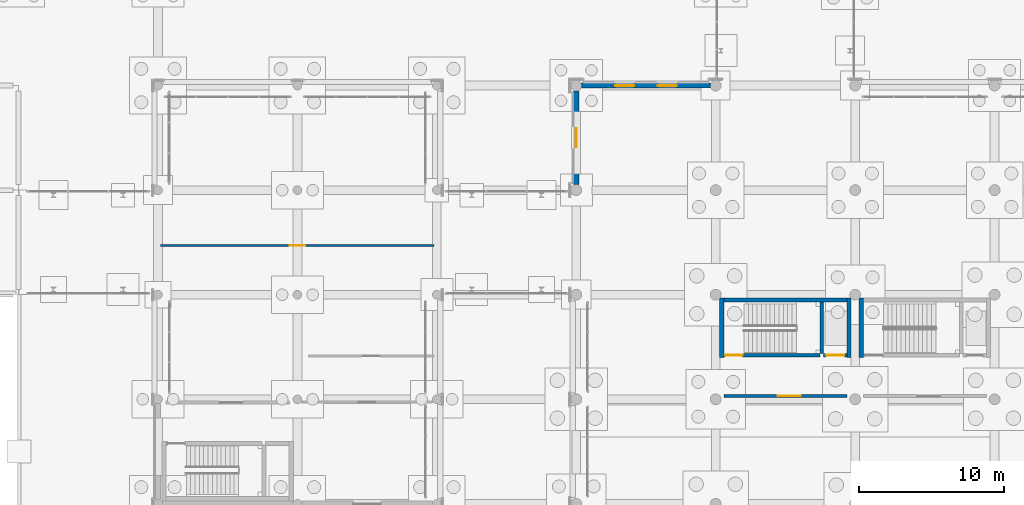
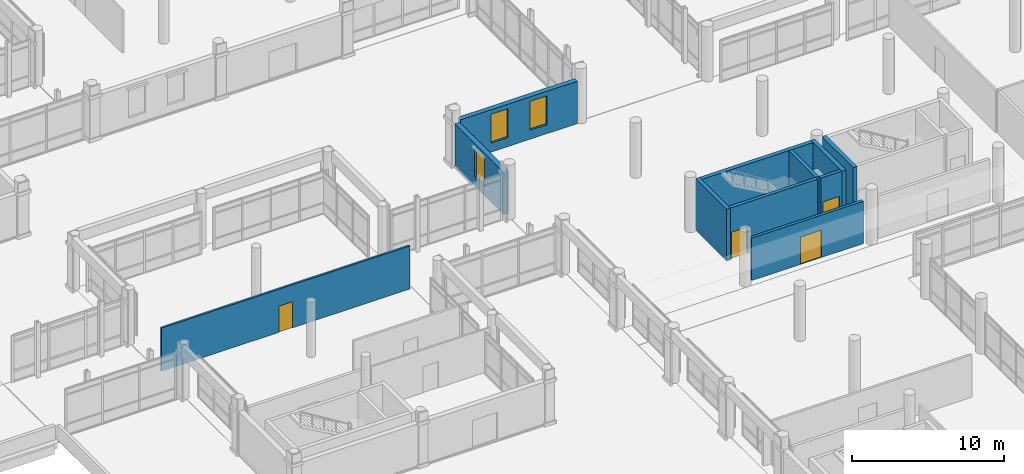
# One storey, part 161 of 196: 11 walls, 4 doors, 3 windows, 7 openings.
"""IFC4 building model written with IfcOpenShell, lengths in metres."""

import ifcopenshell
import ifcopenshell.guid

model = None  # the IFC model being written
_history = None  # IfcOwnerHistory: only IFC2X3 demands one
_inside = {}  # id of a spatial element -> (the spatial element, [elements in it])
_under = {}  # id of a project, library or spatial element -> (it, [spatial elements below it])
_declared = {}  # id of a project -> (the project, [libraries it declares])
_typed = {}  # id of a type object -> (the type object, [elements of that type])
_made_of = {}  # id of a material, layer set ... -> (it, [elements and type objects made of it])


def new_model(schema):
    """Start an empty IFC model of exactly this schema.

    Asked for "IFC4X3", IfcOpenShell would pick the latest addendum, in which some entities
    have other attributes; the version numbers below select the first issue.
    IFC2X3 requires an IfcOwnerHistory on every rooted entity: one is made here for all.
    """
    global model, _history
    if schema == "IFC4X3":
        model = ifcopenshell.file(schema_version=(4, 3, 0, 0))
    else:
        model = ifcopenshell.file(schema=schema)
    _inside.clear()
    _under.clear()
    _declared.clear()
    _typed.clear()
    _made_of.clear()
    _history = None
    if model.schema == "IFC2X3":
        org = make("IfcOrganization", Name="unknown")
        user = make(
            "IfcPersonAndOrganization",
            ThePerson=make("IfcPerson", FamilyName="unknown"),
            TheOrganization=org,
        )
        app = make(
            "IfcApplication",
            ApplicationDeveloper=org,
            Version="unknown",
            ApplicationFullName="unknown",
            ApplicationIdentifier="unknown",
        )
        _history = make(
            "IfcOwnerHistory",
            OwningUser=user,
            OwningApplication=app,
            ChangeAction="ADDED",
            CreationDate=0,
        )
    return model


def make(cls, **values):
    """One entity of the class cls with the attributes given. An attribute that is None is left unset."""
    return model.create_entity(
        cls, **{name: value for name, value in values.items() if value is not None}
    )


def rooted(cls, **values):
    """An entity with a GlobalId (a new one), such as an element, a storey or a relation."""
    return make(cls, GlobalId=ifcopenshell.guid.new(), OwnerHistory=_history, **values)


def si_unit(unit_type, name, prefix=None):
    """IfcSIUnit, for example si_unit("LENGTHUNIT", "METRE", prefix="MILLI")."""
    return make("IfcSIUnit", UnitType=unit_type, Prefix=prefix, Name=name)


def assignment(units):
    """IfcUnitAssignment: the units of a project."""
    return None if units is None else make("IfcUnitAssignment", Units=units)


def point(xyz):
    """IfcCartesianPoint."""
    return None if xyz is None else make("IfcCartesianPoint", Coordinates=xyz)


def direction(xyz):
    """IfcDirection."""
    return None if xyz is None else make("IfcDirection", DirectionRatios=xyz)


def frame(location, z_axis=None, x_axis=None):
    """IfcAxis2Placement3D, a coordinate frame: its origin and axes. An axis left out is left unset."""
    return make(
        "IfcAxis2Placement3D",
        Location=point(location),
        Axis=direction(z_axis),
        RefDirection=direction(x_axis),
    )


def frame_2d(location, x_axis=None):
    """IfcAxis2Placement2D, a coordinate frame in the plane: its origin and x axis."""
    return make(
        "IfcAxis2Placement2D", Location=point(location), RefDirection=direction(x_axis)
    )


def origin():
    """The frame at (0, 0, 0) with its axes left unset."""
    return frame((0.0, 0.0, 0.0))


def place(relative_to, where):
    """IfcLocalPlacement: puts the frame where relative to a parent placement (None: the world)."""
    return make(
        "IfcLocalPlacement", PlacementRelTo=relative_to, RelativePlacement=where
    )


def context(
    kind, dimensions, precision=None, world=None, true_north=None, identifier=None
):
    """IfcGeometricRepresentationContext, for example the 3D "Model" context."""
    return make(
        "IfcGeometricRepresentationContext",
        ContextIdentifier=identifier,
        ContextType=kind,
        CoordinateSpaceDimension=dimensions,
        Precision=precision,
        WorldCoordinateSystem=world,
        TrueNorth=true_north,
    )


def subcontext(parent, identifier, kind, view, scale=None):
    """IfcGeometricRepresentationSubContext, for example "Body" below "Model"."""
    return make(
        "IfcGeometricRepresentationSubContext",
        ContextIdentifier=identifier,
        ContextType=kind,
        ParentContext=parent,
        TargetScale=scale,
        TargetView=view,
    )


def project(units=None, contexts=None):
    """IfcProject with its units and contexts."""
    return rooted(
        "IfcProject",
        Name="project",
        RepresentationContexts=contexts,
        UnitsInContext=assignment(units),
    )


def spatial(cls, under=None, at=None, **own):
    """A site, building, storey or space (cls), placed at a placement, below another one or the project."""
    s = rooted(cls, ObjectPlacement=at, **own)
    if under is not None:
        _under.setdefault(under.id(), (under, []))[1].append(s)
    return s


def profile(cls, at=None, kind="AREA", **sizes):
    """A parametric profile (cls). Its sizes go by their IFC names, for example OverallWidth=200.0."""
    return make(cls, ProfileType=kind, Position=at, **sizes)


def rectangle(**sizes):
    """IfcRectangleProfileDef."""
    return profile("IfcRectangleProfileDef", **sizes)


def extrude(swept, where, along, depth):
    """IfcExtrudedAreaSolid: the profile swept, set in the frame where, extruded along a direction by depth."""
    return make(
        "IfcExtrudedAreaSolid",
        SweptArea=swept,
        Position=where,
        ExtrudedDirection=direction(along),
        Depth=depth,
    )


def shape(context_of_items, identifier, shape_type, items):
    """IfcShapeRepresentation: the items that make up one representation, for example the "Body"."""
    return make(
        "IfcShapeRepresentation",
        ContextOfItems=context_of_items,
        RepresentationIdentifier=identifier,
        RepresentationType=shape_type,
        Items=items,
    )


def material(Name=None, Category=None):
    """IfcMaterial."""
    return make("IfcMaterial", Name=Name, Category=Category)


def layer(
    of_material, thickness, ventilated=None, Name=None, Category=None, Priority=None
):
    """IfcMaterialLayer: one layer of a wall or slab, of a material (None: an air gap)."""
    return make(
        "IfcMaterialLayer",
        Material=of_material,
        LayerThickness=thickness,
        IsVentilated=ventilated,
        Name=Name,
        Category=Category,
        Priority=Priority,
    )


def layer_set(layers, Name=None):
    """IfcMaterialLayerSet."""
    return make("IfcMaterialLayerSet", MaterialLayers=layers, LayerSetName=Name)


def made_of(thing, what):
    """Note that an element or type object is made of a material, layer set ...; save() writes the relation."""
    if what is not None:
        _made_of.setdefault(what.id(), (what, []))[1].append(thing)
    return thing


def type_object(cls, material=None, **own):
    """A type object (cls), such as IfcWallType, which elements share."""
    return made_of(rooted(cls, **own), material)


def element(
    cls,
    number,
    at=None,
    inside=None,
    cuts=None,
    type_object=None,
    material=None,
    context=None,
    identifier="Body",
    shape_type=None,
    held_by="IfcProductDefinitionShape",
    body=None,
    shapes=None,
    **own,
):
    """One element of the class cls, such as IfcWall. Its Tag is "e" and its number.

    at: its placement. inside: the storey or other place that contains it. cuts: it is an
    opening in that element (IfcRelVoidsElement). A single representation is given by context,
    identifier, shape_type and body (its items); several are given by shapes. held_by: the class
    of the entity that holds the representations. save() writes the other relations.
    """
    e = rooted(cls, Tag="e%d" % number, ObjectPlacement=at, **own)
    if body is not None:
        shapes = [shape(context, identifier, shape_type, body)]
    if shapes is not None:
        e.Representation = make(held_by, Representations=shapes)
    if inside is not None:
        _inside.setdefault(inside.id(), (inside, []))[1].append(e)
    if cuts is not None:
        rooted(
            "IfcRelVoidsElement", RelatingBuildingElement=cuts, RelatedOpeningElement=e
        )
    if type_object is not None:
        _typed.setdefault(type_object.id(), (type_object, []))[1].append(e)
    return made_of(e, material)


def fill(opening, filler):
    """IfcRelFillsElement: the door or window that sits in an opening."""
    return rooted(
        "IfcRelFillsElement",
        RelatingOpeningElement=opening,
        RelatedBuildingElement=filler,
    )


def aggregate(whole, parts):
    """IfcRelAggregates: a whole, such as a stair, and the parts it consists of."""
    return rooted("IfcRelAggregates", RelatingObject=whole, RelatedObjects=parts)


def save(model, path):
    """Write the relations noted so far, then the file.

    IfcRelAggregates (storeys below a building ...), IfcRelContainedInSpatialStructure (elements
    in a storey), IfcRelDefinesByType, IfcRelAssociatesMaterial and IfcRelDeclares: one each for
    every whole, place, type object, material and project.
    """
    for whole, parts in _under.values():
        aggregate(whole, parts)
    for where, things in _inside.values():
        rooted(
            "IfcRelContainedInSpatialStructure",
            RelatedElements=things,
            RelatingStructure=where,
        )
    for kind, things in _typed.values():
        rooted("IfcRelDefinesByType", RelatedObjects=things, RelatingType=kind)
    for what, things in _made_of.values():
        rooted("IfcRelAssociatesMaterial", RelatedObjects=things, RelatingMaterial=what)
    for by, libraries in _declared.values():
        rooted("IfcRelDeclares", RelatingContext=by, RelatedDefinitions=libraries)
    model.write(path)


model = new_model("IFC4")

# Units and contexts
model_context = context("Model", 3, precision=1e-05, world=origin(), true_north=direction((0.0, 1.0)))
body_context = subcontext(model_context, "Body", "Model", "MODEL_VIEW")
ifc_project = project(units=[si_unit("LENGTHUNIT", "METRE"), si_unit("AREAUNIT", "SQUARE_METRE"), si_unit("VOLUMEUNIT", "CUBIC_METRE"), si_unit("PLANEANGLEUNIT", "RADIAN"), si_unit("MASSUNIT", "GRAM", prefix="KILO")], contexts=[model_context])

# Site, building, storey
site_placement = place(None, origin())
site = spatial("IfcSite", under=ifc_project, at=site_placement, CompositionType="ELEMENT")
building_placement = place(site_placement, origin())
building = spatial("IfcBuilding", under=site, at=building_placement, Name="Asteropetra Specialist Clinic", CompositionType="ELEMENT")
storey_placement = place(building_placement, origin())
storey = spatial("IfcBuildingStorey", under=building, at=storey_placement, Name="L00", CompositionType="ELEMENT", Elevation=0.0)

# Wall, openings, windows
ifc_material_1 = material(Name="Pentelic marble ashlar", Category="masonry")
ifc_layer_1 = layer(ifc_material_1, 0.360107421875)
ifc_layer_set_1 = layer_set([ifc_layer_1], Name="Pentelic marble ashlar")
wall_type_1 = type_object("IfcWallType", Name="EW-PENTELIC-360", PredefinedType="SOLIDWALL", material=ifc_layer_set_1)
wall_1_placement = place(storey_placement, frame((114.824951171875, 62.39990234375, 0.0), z_axis=(0.0, 0.0, 1.0), x_axis=(-1.0, 0.0, 0.0)))
wall_1 = element("IfcWall", 1, at=wall_1_placement, inside=storey, type_object=wall_type_1, Name="Exterior Wall EW-0194", PredefinedType="SOLIDWALL", context=body_context, shape_type="SweptSolid", body=[
    extrude(rectangle(XDim=8.849853515625, YDim=0.360107421875, at=frame_2d((4.4248046875, 0.0))), origin(), (0.0, 0.0, 1.0), 3.39990234375),
])
opening_1_placement = place(wall_1_placement, frame((2.300048828125, 0.0, 0.719970703125)))
opening_1 = element("IfcOpeningElement", 2, at=opening_1_placement, cuts=wall_1, Name="Opening W-0154", PredefinedType="OPENING", context=body_context, shape_type="SweptSolid", body=[
    extrude(rectangle(XDim=1.300048828125, YDim=2.320068359375, at=frame_2d((0.64990234375, 1.16015625))), frame((0.0, 0.18994140625, 0.0), z_axis=(0.0, -1.0, 0.0), x_axis=(1.0, 0.0, 0.0)), (0.0, 0.0, 1.0), 0.380126953125),
])
opening_2_placement = place(wall_1_placement, frame((5.25, 0.0, 0.719970703125)))
opening_2 = element("IfcOpeningElement", 3, at=opening_2_placement, cuts=wall_1, Name="Opening W-0155", PredefinedType="OPENING", context=body_context, shape_type="SweptSolid", body=[
    extrude(rectangle(XDim=1.300048828125, YDim=2.320068359375, at=frame_2d((0.64990234375, 1.16015625))), frame((0.0, 0.18994140625, 0.0), z_axis=(0.0, -1.0, 0.0), x_axis=(1.0, 0.0, 0.0)), (0.0, 0.0, 1.0), 0.380126953125),
])
ifc_material_2 = material(Name="Thermally broken bronze aluminium and low-E glass", Category="aluminium")
window_type = type_object("IfcWindowType", Name="WIN-T20", PartitioningType="DOUBLE_PANEL_VERTICAL", PredefinedType="WINDOW", material=ifc_material_2)
window_1_placement = place(opening_1_placement, origin())
window_1 = element("IfcWindow", 4, at=window_1_placement, inside=storey, type_object=window_type, Name="Window W-0154", OverallHeight=2.320068359375, OverallWidth=1.300048828125, PartitioningType="SINGLE_PANEL", PredefinedType="WINDOW", context=body_context, shape_type="SweptSolid", body=[
    extrude(rectangle(XDim=1.300048828125, YDim=2.320068359375, at=frame_2d((0.64990234375, 1.16015625))), frame((0.0, 0.030029296875, 0.0), z_axis=(0.0, -1.0, 0.0), x_axis=(1.0, 0.0, 0.0)), (0.0, 0.0, 1.0), 0.06005859375),
])
fill(opening_1, window_1)
window_2_placement = place(opening_2_placement, origin())
window_2 = element("IfcWindow", 5, at=window_2_placement, inside=storey, type_object=window_type, Name="Window W-0155", OverallHeight=2.320068359375, OverallWidth=1.300048828125, PartitioningType="SINGLE_PANEL", PredefinedType="WINDOW", context=body_context, shape_type="SweptSolid", body=[
    extrude(rectangle(XDim=1.300048828125, YDim=2.320068359375, at=frame_2d((0.64990234375, 1.16015625))), frame((0.0, 0.030029296875, 0.0), z_axis=(0.0, -1.0, 0.0), x_axis=(1.0, 0.0, 0.0)), (0.0, 0.0, 1.0), 0.06005859375),
])
fill(opening_2, window_2)

# Wall, opening, window
wall_2_placement = place(storey_placement, frame((105.60009765625, 62.02490234375, 0.0), z_axis=(0.0, 0.0, 1.0), x_axis=(0.0, -1.0, 0.0)))
wall_2 = element("IfcWall", 6, at=wall_2_placement, inside=storey, type_object=wall_type_1, Name="Exterior Wall EW-0202", PredefinedType="SOLIDWALL", context=body_context, shape_type="SweptSolid", body=[
    extrude(rectangle(XDim=6.449951171875, YDim=0.360107421875, at=frame_2d((3.22509765625, 0.0))), origin(), (0.0, 0.0, 1.0), 3.39990234375),
])
opening_3_placement = place(wall_2_placement, frame((2.574951171875, 0.0, 0.719970703125)))
opening_3 = element("IfcOpeningElement", 7, at=opening_3_placement, cuts=wall_2, Name="Opening W-0162", PredefinedType="OPENING", context=body_context, shape_type="SweptSolid", body=[
    extrude(rectangle(XDim=1.300048828125, YDim=2.320068359375, at=frame_2d((0.64990234375, 1.16015625))), frame((0.0, 0.18994140625, 0.0), z_axis=(0.0, -1.0, 0.0), x_axis=(1.0, 0.0, 0.0)), (0.0, 0.0, 1.0), 0.380126953125),
])
window_3_placement = place(opening_3_placement, origin())
window_3 = element("IfcWindow", 8, at=window_3_placement, inside=storey, type_object=window_type, Name="Window W-0162", OverallHeight=2.320068359375, OverallWidth=1.300048828125, PartitioningType="SINGLE_PANEL", PredefinedType="WINDOW", context=body_context, shape_type="SweptSolid", body=[
    extrude(rectangle(XDim=1.300048828125, YDim=2.320068359375, at=frame_2d((0.64990234375, 1.16015625))), frame((0.0, 0.030029296875, 0.0), z_axis=(0.0, -1.0, 0.0), x_axis=(1.0, 0.0, 0.0)), (0.0, 0.0, 1.0), 0.06005859375),
])
fill(opening_3, window_3)

# Wall, opening, door
ifc_material_3 = material(Name="Fire-rated masonry and gypsum", Category="masonry")
ifc_layer_2 = layer(ifc_material_3, 0.219970703125)
ifc_layer_set_2 = layer_set([ifc_layer_2], Name="Fire-rated masonry and gypsum")
wall_type_2 = type_object("IfcWallType", Name="W-COMP-220", PredefinedType="PARTITIONING", material=ifc_layer_set_2)
wall_3_placement = place(storey_placement, frame((115.760009765625, 41.02001953125, 0.0), z_axis=(0.0, 0.0, 1.0), x_axis=(1.0, 0.0, 0.0)))
wall_3 = element("IfcWall", 9, at=wall_3_placement, inside=storey, type_object=wall_type_2, Name="Core Wall CW-C10-L00-LOB", PredefinedType="PARTITIONING", context=body_context, shape_type="SweptSolid", body=[
    extrude(rectangle(XDim=8.47998046875, YDim=0.219970703125, at=frame_2d((4.239990234375, 0.0))), origin(), (0.0, 0.0, 1.0), 3.39990234375),
])
opening_4_placement = place(wall_3_placement, frame((3.699951171875, 0.0, 0.0)))
opening_4 = element("IfcOpeningElement", 10, at=opening_4_placement, cuts=wall_3, Name="Opening FD-086", PredefinedType="OPENING", context=body_context, shape_type="SweptSolid", body=[
    extrude(rectangle(XDim=1.60009765625, YDim=2.199951171875, at=frame_2d((0.800048828125, 1.10009765625))), frame((0.0, 0.119873046875, 0.0), z_axis=(0.0, -1.0, 0.0), x_axis=(1.0, 0.0, 0.0)), (0.0, 0.0, 1.0), 0.239990234375),
])
ifc_material_4 = material(Name="Fire-rated steel and vision glass door", Category="steel")
door_type_1 = type_object("IfcDoorType", Name="FD-LOBBY-1600", OperationType="DOUBLE_DOOR_SINGLE_SWING", PredefinedType="DOOR", material=ifc_material_4)
door_1_placement = place(opening_4_placement, origin())
door_1 = element("IfcDoor", 11, at=door_1_placement, inside=storey, type_object=door_type_1, Name="Lobby Fire Door FD-086", OperationType="DOUBLE_DOOR_SINGLE_SWING", OverallHeight=2.199951171875, OverallWidth=1.60009765625, PredefinedType="DOOR", context=body_context, shape_type="SweptSolid", body=[
    extrude(rectangle(XDim=1.60009765625, YDim=2.199951171875, at=frame_2d((0.800048828125, 1.10009765625))), frame((0.0, 0.02490234375, 0.0), z_axis=(0.0, -1.0, 0.0), x_axis=(1.0, 0.0, 0.0)), (0.0, 0.0, 1.0), 0.050048828125),
])
fill(opening_4, door_1)

# Walls
ifc_material_5 = material(Name="Concrete C35/45", Category="concrete")
ifc_layer_3 = layer(ifc_material_5, 0.300048828125)
ifc_layer_set_3 = layer_set([ifc_layer_3], Name="Concrete C35/45")
wall_type_3 = type_object("IfcWallType", Name="W-CORE-300", PredefinedType="SHEAR", material=ifc_layer_set_3)
for number, where, z_axis, x_axis, name in (
    (12, (125.219970703125, 43.68994140625, 0.0), (0.0, 0.0, 1.0), (0.0, 1.0, 0.0), "Core Wall CW-C9-L00-W"),
    (13, (115.6201171875, 43.68994140625, 0.0), (0.0, 0.0, 1.0), (0.0, 1.0, 0.0), "Core Wall CW-C10-L00-W"),
    (14, (124.3798828125, 43.68994140625, 0.0), (0.0, 0.0, 1.0), (0.0, 1.0, 0.0), "Core Wall CW-C10-L00-E"),
):
    element("IfcWall", number, at=place(storey_placement, frame(where, z_axis=z_axis, x_axis=x_axis)), inside=storey, type_object=wall_type_3, Name=name, PredefinedType="SHEAR", context=body_context, shape_type="SweptSolid", body=[
        extrude(rectangle(XDim=4.10009765625, YDim=0.300048828125, at=frame_2d((2.050048828125, 0.0))), origin(), (0.0, 0.0, 1.0), 4.1201171875),
    ])
wall_4_placement = place(storey_placement, frame((115.764892578125, 47.639892578125, 0.0), z_axis=(0.0, 0.0, 1.0), x_axis=(1.0, 0.0, 0.0)))
element("IfcWall", 15, at=wall_4_placement, inside=storey, type_object=wall_type_3, Name="Core Wall CW-C10-L00-BACK", PredefinedType="SHEAR", context=body_context, shape_type="SweptSolid", body=[
    extrude(rectangle(XDim=8.47021484375, YDim=0.300048828125, at=frame_2d((4.235107421875, 0.0))), origin(), (0.0, 0.0, 1.0), 4.1201171875),
])

# Wall, opening, door
ifc_material_6 = material(Name="Clinical consulting partition", Category="masonry")
ifc_layer_4 = layer(ifc_material_6, 0.14990234375)
ifc_layer_set_4 = layer_set([ifc_layer_4], Name="Clinical consulting partition")
wall_type_4 = type_object("IfcWallType", Name="W-PART-150", PredefinedType="PARTITIONING", material=ifc_layer_set_4)
wall_5_placement = place(storey_placement, frame((76.97998046875, 51.3798828125, 0.0), z_axis=(0.0, 0.0, 1.0), x_axis=(1.0, 0.0, 0.0)))
wall_5 = element("IfcWall", 16, at=wall_5_placement, inside=storey, type_object=wall_type_4, Name="Interior Partition PW-0056", PredefinedType="PARTITIONING", context=body_context, shape_type="SweptSolid", body=[
    extrude(rectangle(XDim=18.840087890625, YDim=0.14990234375, at=frame_2d((9.419921875, 0.0))), origin(), (0.0, 0.0, 1.0), 3.4599609375),
])
opening_5_placement = place(wall_5_placement, frame((8.89501953125, 0.0, 0.0)))
opening_5 = element("IfcOpeningElement", 17, at=opening_5_placement, cuts=wall_5, Name="Opening ID-0030", PredefinedType="OPENING", context=body_context, shape_type="SweptSolid", body=[
    extrude(rectangle(XDim=1.050048828125, YDim=2.10009765625, at=frame_2d((0.52490234375, 1.050048828125))), frame((0.0, 0.0849609375, 0.0), z_axis=(0.0, -1.0, 0.0), x_axis=(1.0, 0.0, 0.0)), (0.0, 0.0, 1.0), 0.169921875),
])
ifc_material_7 = material(Name="Antimicrobial laminate timber leaf in steel frame", Category="steel")
door_type_2 = type_object("IfcDoorType", Name="ID-CONS-1050", OperationType="SINGLE_SWING_LEFT", PredefinedType="DOOR", material=ifc_material_7)
door_2_placement = place(opening_5_placement, origin())
door_2 = element("IfcDoor", 18, at=door_2_placement, inside=storey, type_object=door_type_2, Name="Interior Door ID-0030", OperationType="SINGLE_SWING_LEFT", OverallHeight=2.10009765625, OverallWidth=1.050048828125, PredefinedType="DOOR", context=body_context, shape_type="SweptSolid", body=[
    extrude(rectangle(XDim=1.050048828125, YDim=2.10009765625, at=frame_2d((0.52490234375, 1.050048828125))), frame((0.0, 0.02490234375, 0.0), z_axis=(0.0, -1.0, 0.0), x_axis=(1.0, 0.0, 0.0)), (0.0, 0.0, 1.0), 0.050048828125),
])
fill(opening_5, door_2)

# Wall
ifc_material_8 = material(Name="Concrete C35/45", Category="concrete")
ifc_layer_5 = layer(ifc_material_8, 0.25)
ifc_layer_set_5 = layer_set([ifc_layer_5], Name="Concrete C35/45")
wall_type_5 = type_object("IfcWallType", Name="W-SHAFT-250", PredefinedType="SHEAR", material=ifc_layer_set_5)
wall_6_placement = place(storey_placement, frame((122.5, 43.9599609375, 0.0), z_axis=(0.0, 0.0, 1.0), x_axis=(0.0, 1.0, 0.0)))
element("IfcWall", 19, at=wall_6_placement, inside=storey, type_object=wall_type_5, Name="Core Wall CW-C10-L00-MID", PredefinedType="SHEAR", context=body_context, shape_type="SweptSolid", body=[
    extrude(rectangle(XDim=3.530029296875, YDim=0.25, at=frame_2d((1.76513671875, 0.0))), origin(), (0.0, 0.0, 1.0), 4.1201171875),
])

# Wall, opening, door
wall_7_placement = place(storey_placement, frame((115.764892578125, 43.840087890625, 0.0), z_axis=(0.0, 0.0, 1.0), x_axis=(1.0, 0.0, 0.0)))
wall_7 = element("IfcWall", 20, at=wall_7_placement, inside=storey, type_object=wall_type_5, Name="Core Wall CW-C10-L00-STDIV", PredefinedType="SHEAR", context=body_context, shape_type="SweptSolid", body=[
    extrude(rectangle(XDim=6.614990234375, YDim=0.25, at=frame_2d((3.3076171875, 0.0))), origin(), (0.0, 0.0, 1.0), 4.1201171875),
])
opening_6_placement = place(wall_7_placement, frame((0.080078125, 0.0, 0.0)))
opening_6 = element("IfcOpeningElement", 21, at=opening_6_placement, cuts=wall_7, Name="Opening FD-085", PredefinedType="OPENING", context=body_context, shape_type="SweptSolid", body=[
    extrude(rectangle(XDim=1.199951171875, YDim=2.14990234375, at=frame_2d((0.60009765625, 1.074951171875))), frame((0.0, 0.135009765625, 0.0), z_axis=(0.0, -1.0, 0.0), x_axis=(1.0, 0.0, 0.0)), (0.0, 0.0, 1.0), 0.27001953125),
])
ifc_material_9 = material(Name="Fire-rated steel and vision glass door", Category="steel")
door_type_3 = type_object("IfcDoorType", Name="FD-STAIR-1350", OperationType="DOUBLE_DOOR_SINGLE_SWING", PredefinedType="DOOR", material=ifc_material_9)
door_3_placement = place(opening_6_placement, origin())
door_3 = element("IfcDoor", 22, at=door_3_placement, inside=storey, type_object=door_type_3, Name="Stair Fire Door FD-085", OperationType="DOUBLE_DOOR_SINGLE_SWING", OverallHeight=2.14990234375, OverallWidth=1.199951171875, PredefinedType="DOOR", context=body_context, shape_type="SweptSolid", body=[
    extrude(rectangle(XDim=1.199951171875, YDim=2.14990234375, at=frame_2d((0.60009765625, 1.074951171875))), frame((0.0, 0.02490234375, 0.0), z_axis=(0.0, -1.0, 0.0), x_axis=(1.0, 0.0, 0.0)), (0.0, 0.0, 1.0), 0.050048828125),
])
fill(opening_6, door_3)

wall_8_placement = place(storey_placement, frame((122.6201171875, 43.840087890625, 0.0), z_axis=(0.0, 0.0, 1.0), x_axis=(1.0, 0.0, 0.0)))
wall_8 = element("IfcWall", 23, at=wall_8_placement, inside=storey, type_object=wall_type_5, Name="Lift Shaft Front Wall CW-C10-L00-LFTF", PredefinedType="SHEAR", context=body_context, shape_type="SweptSolid", body=[
    extrude(rectangle(XDim=1.614990234375, YDim=0.25, at=frame_2d((0.8076171875, 0.0))), origin(), (0.0, 0.0, 1.0), 4.1201171875),
])
opening_7_placement = place(wall_8_placement, frame((0.1826171875, 0.0, 0.0)))
opening_7 = element("IfcOpeningElement", 24, at=opening_7_placement, cuts=wall_8, Name="Opening LD-043", PredefinedType="OPENING", context=body_context, shape_type="SweptSolid", body=[
    extrude(rectangle(XDim=1.25, YDim=2.14990234375, at=frame_2d((0.625, 1.074951171875))), frame((0.0, 0.135009765625, 0.0), z_axis=(0.0, -1.0, 0.0), x_axis=(1.0, 0.0, 0.0)), (0.0, 0.0, 1.0), 0.27001953125),
])
ifc_material_10 = material(Name="Brushed stainless steel sliding lift landing door", Category="steel")
door_type_4 = type_object("IfcDoorType", Name="LD-SERV-1250", OperationType="DOUBLE_DOOR_SLIDING", PredefinedType="DOOR", material=ifc_material_10)
door_4_placement = place(opening_7_placement, origin())
door_4 = element("IfcDoor", 25, at=door_4_placement, inside=storey, type_object=door_type_4, Name="Lift Landing Door LD-043", OperationType="DOUBLE_DOOR_SLIDING", OverallHeight=2.14990234375, OverallWidth=1.25, PredefinedType="DOOR", context=body_context, shape_type="SweptSolid", body=[
    extrude(rectangle(XDim=1.25, YDim=2.14990234375, at=frame_2d((0.625, 1.074951171875))), frame((0.0, 0.02490234375, 0.0), z_axis=(0.0, -1.0, 0.0), x_axis=(1.0, 0.0, 0.0)), (0.0, 0.0, 1.0), 0.050048828125),
])
fill(opening_7, door_4)

save(model, "model.ifc")
